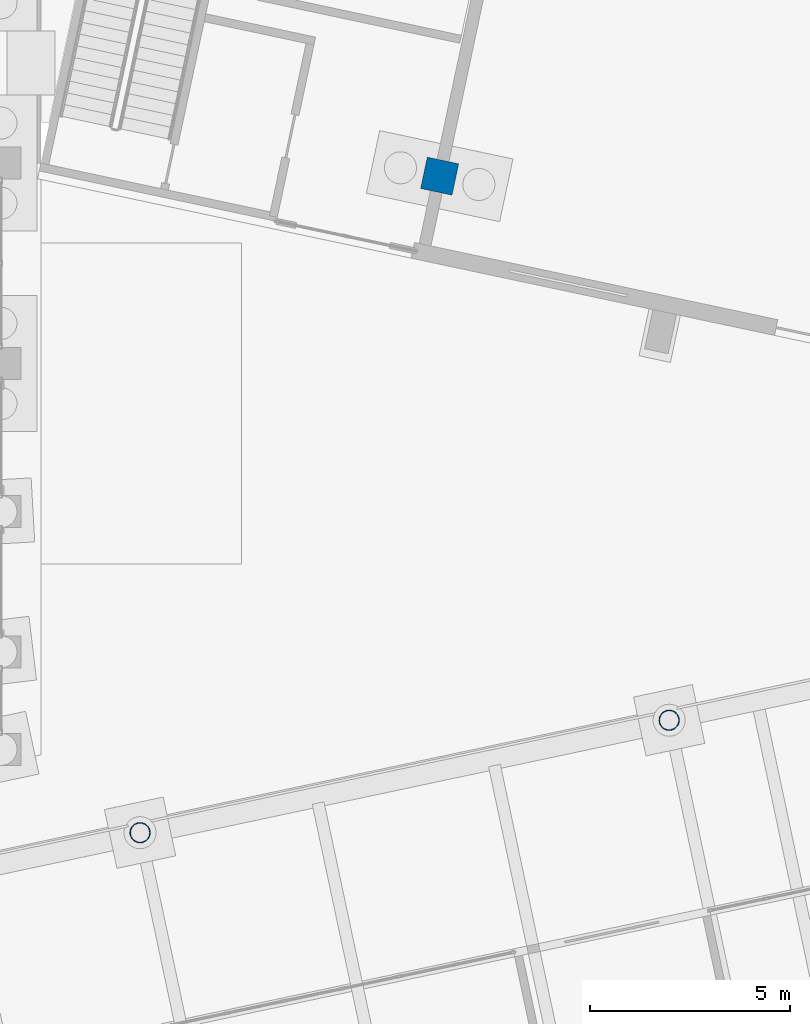
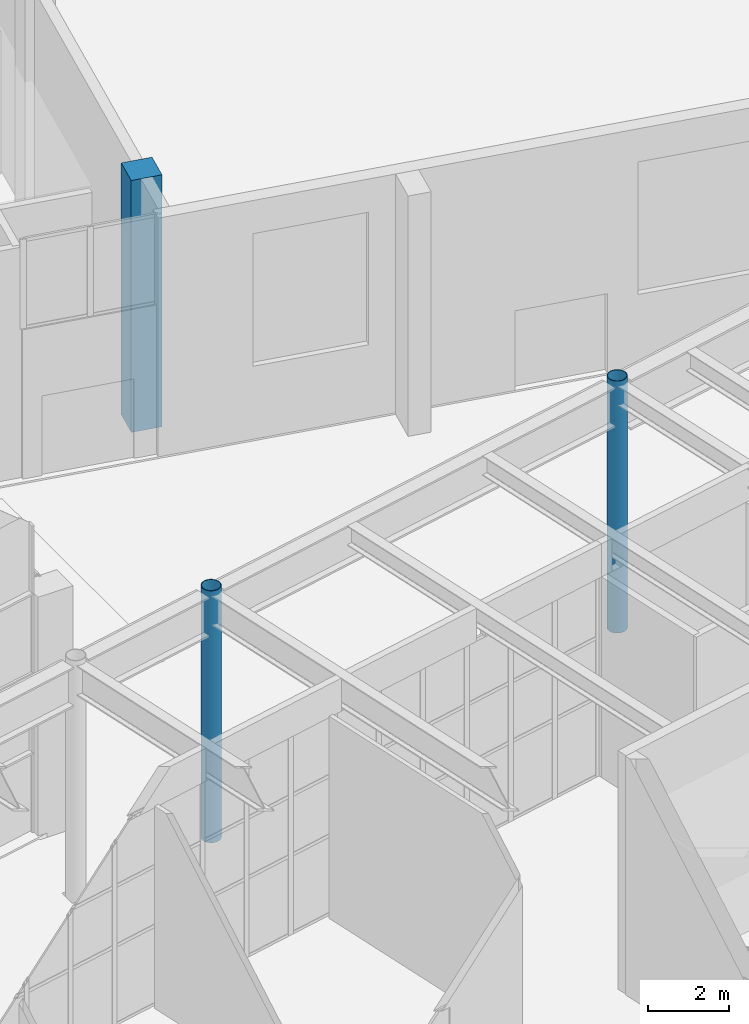
# One storey, part 26 of 239: 3 columns.
"""IFC4 building model written with IfcOpenShell, lengths in metres."""

from ifc_helpers import new_model, si_unit, direction, frame, origin, origin_2d, place, context, subcontext, project, spatial, rectangle, hollow_circle, extrude, material, material_profile, profile_set, type_object, element, save


model = new_model("IFC4")

# Units and contexts
model_context = context("Model", 3, precision=1e-05, world=origin(), true_north=direction((0.0, 1.0)))
body_context = subcontext(model_context, "Body", "Model", "MODEL_VIEW")
ifc_project = project(units=[si_unit("LENGTHUNIT", "METRE"), si_unit("AREAUNIT", "SQUARE_METRE"), si_unit("VOLUMEUNIT", "CUBIC_METRE"), si_unit("PLANEANGLEUNIT", "RADIAN"), si_unit("MASSUNIT", "GRAM", prefix="KILO")], contexts=[model_context])

# Site, building, storey
site_placement = place(None, origin())
site = spatial("IfcSite", under=ifc_project, at=site_placement, CompositionType="ELEMENT")
building_placement = place(site_placement, origin())
building = spatial("IfcBuilding", under=site, at=building_placement, Name="Okhra Congress Centre", CompositionType="ELEMENT")
storey_placement = place(building_placement, origin())
storey = spatial("IfcBuildingStorey", under=building, at=storey_placement, Name="L00", CompositionType="ELEMENT", Elevation=0.0)

# Columns
ifc_material_1 = material(Name="Concrete C40/50", Category="concrete")
ifc_material_profile_1 = material_profile(ifc_material_1, rectangle(XDim=0.800048828125, YDim=0.800048828125, at=origin_2d()), Name="RC 800x800")
ifc_profile_set_1 = profile_set([ifc_material_profile_1], Name="Concrete C40/50")
column_type_1 = type_object("IfcColumnType", Name="RC column 800x800 C40/50", PredefinedType="COLUMN", material=ifc_profile_set_1)
column_placement = place(storey_placement, frame((199.94970703125, 95.67431640625, -0.39990234375), z_axis=(0.0, 0.0, 1.0), x_axis=(0.978147600734, -0.207911690818, 0.0)))
element("IfcColumn", 1, at=column_placement, inside=storey, type_object=column_type_1, Name="Hall column W0", PredefinedType="COLUMN", context=body_context, shape_type="SweptSolid", body=[
    extrude(rectangle(XDim=0.800048828125, YDim=0.800048828125, at=origin_2d()), origin(), (0.0, 0.0, 1.0), 7.599853515625),
])
ifc_material_2 = material(Name="Steel S355J2H", Category="steel")
ifc_material_profile_2 = material_profile(ifc_material_2, hollow_circle(Radius=0.25390625, WallThickness=0.01611328125, at=origin_2d()), Name="CHS 508x16")
ifc_profile_set_2 = profile_set([ifc_material_profile_2], Name="Steel S355J2H")
column_type_2 = type_object("IfcColumnType", Name="Round steel column CHS 508x16", PredefinedType="COLUMN", material=ifc_profile_set_2)
for number, where, z_axis, x_axis, name in (
    (2, (192.47265625, 79.28857421875, -0.39990234375), (0.0, 0.0, 1.0), (0.978147600734, 0.207911690818, 0.0), "Round column 28N"),
    (3, (205.677734375, 82.09521484375, -0.39990234375), (0.0, 0.0, 1.0), (0.978147600734, 0.207911690818, 0.0), "Round column 29N"),
):
    element("IfcColumn", number, at=place(storey_placement, frame(where, z_axis=z_axis, x_axis=x_axis)), inside=storey, type_object=column_type_2, Name=name, PredefinedType="COLUMN", context=body_context, shape_type="SweptSolid", body=[
        extrude(hollow_circle(Radius=0.25390625, WallThickness=0.01611328125, at=origin_2d()), origin(), (0.0, 0.0, 1.0), 7.599853515625),
    ])

save(model, "model.ifc")
